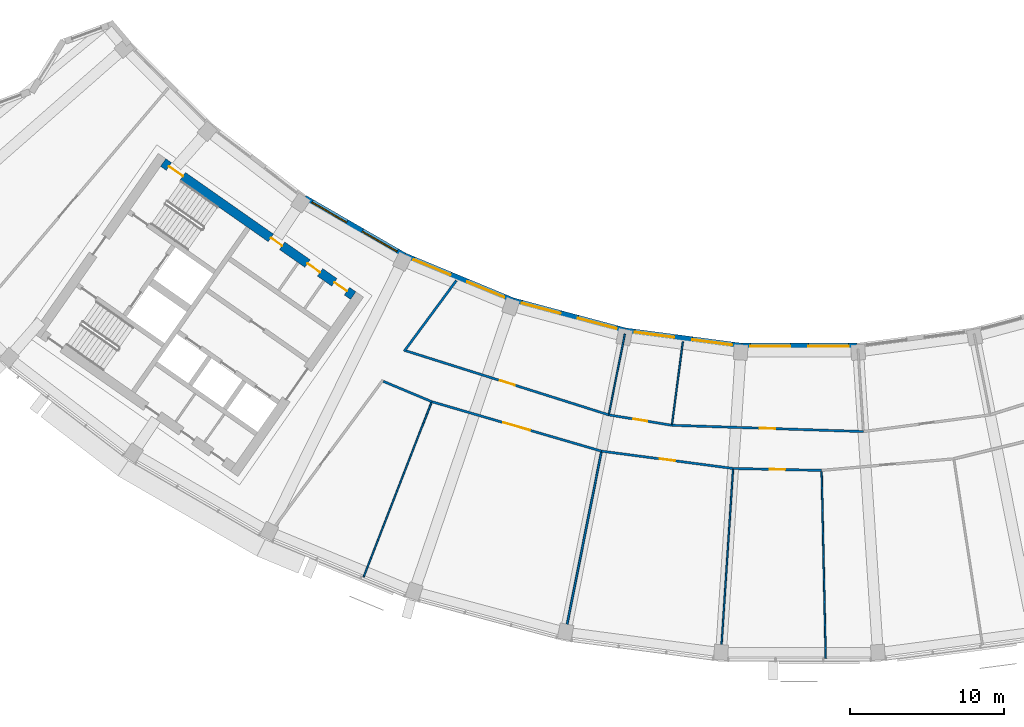
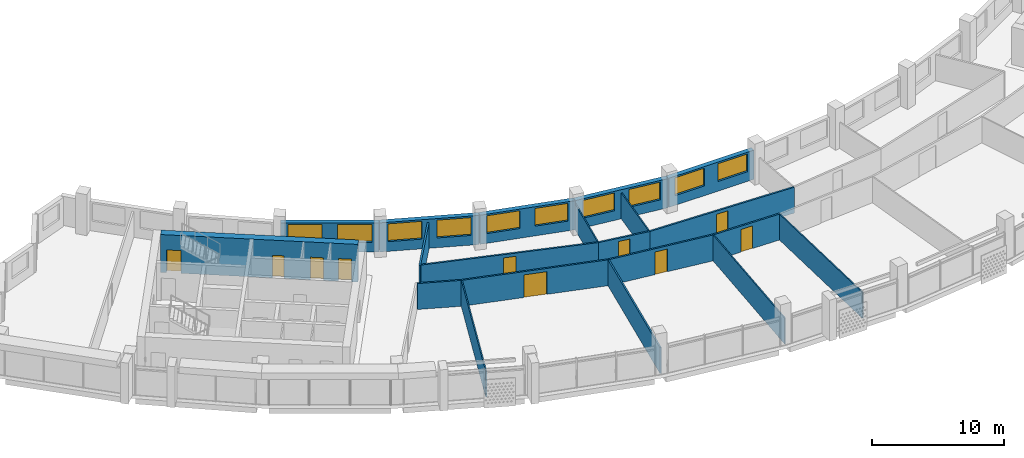
# One storey, part 4 of 28: 20 walls, 10 doors, 10 windows, 20 openings.
"""IFC4 building model written with IfcOpenShell, lengths in metres."""

from ifc_helpers import new_model, si_unit, direction, frame, frame_2d, origin, place, context, subcontext, project, spatial, rectangle, extrude, material, layer, layer_set, type_object, element, fill, save


model = new_model("IFC4")

# Units and contexts
model_context = context("Model", 3, precision=1e-05, world=origin(), true_north=direction((0.0, 1.0)))
body_context = subcontext(model_context, "Body", "Model", "MODEL_VIEW")
ifc_project = project(units=[si_unit("LENGTHUNIT", "METRE"), si_unit("AREAUNIT", "SQUARE_METRE"), si_unit("VOLUMEUNIT", "CUBIC_METRE"), si_unit("PLANEANGLEUNIT", "RADIAN"), si_unit("MASSUNIT", "GRAM", prefix="KILO")], contexts=[model_context])

# Site, building, storey
site_placement = place(None, origin())
site = spatial("IfcSite", under=ifc_project, at=site_placement, CompositionType="ELEMENT")
building_placement = place(site_placement, origin())
building = spatial("IfcBuilding", under=site, at=building_placement, Name="Qamariyya Broadcast Tower", CompositionType="ELEMENT")
storey_placement = place(building_placement, frame((0.0, 0.0, 277.10009765625)))
storey = spatial("IfcBuildingStorey", under=building, at=storey_placement, Name="L67", CompositionType="ELEMENT", Elevation=277.10009765625)

# Wall, openings, doors
ifc_material_1 = material(Name="Concrete C60/75", Category="concrete")
ifc_layer_1 = layer(ifc_material_1, 0.60009765625)
ifc_layer_set_1 = layer_set([ifc_layer_1], Name="Core wall 600 mm Concrete C60/75")
wall_type_1 = type_object("IfcWallType", Name="Core wall 600 mm Concrete C60/75", PredefinedType="SHEAR", material=ifc_layer_set_1)
wall_1_placement = place(storey_placement, frame((-28.940673828125, -54.447021484375, 0.0), z_axis=(0.0, 0.0, 1.0), x_axis=(-0.819153391756, 0.573574511963, 0.0)))
wall_1 = element("IfcWall", 1, at=wall_1_placement, inside=storey, type_object=wall_type_1, Name="k-W-L67-WI", PredefinedType="SHEAR", context=body_context, shape_type="SweptSolid", body=[
    extrude(rectangle(XDim=15.04541015625, YDim=0.60009765625, at=frame_2d((7.522705078125, 0.0))), origin(), (0.0, 0.0, 1.0), 3.5),
])
opening_1_placement = place(wall_1_placement, frame((0.5, 0.0, 0.0)))
opening_1 = element("IfcOpeningElement", 2, at=opening_1_placement, cuts=wall_1, Name="Opening KD6-W2", PredefinedType="OPENING", context=body_context, shape_type="SweptSolid", body=[
    extrude(rectangle(XDim=1.0, YDim=2.10009765625, at=frame_2d((0.5, 1.050048828125))), frame((0.0, 0.31005859375, 0.0), z_axis=(0.0, -1.0, 0.0), x_axis=(1.0, 0.0, 0.0)), (0.0, 0.0, 1.0), 0.6201171875),
])
opening_2_placement = place(wall_1_placement, frame((2.625, 0.0, 0.0)))
opening_2 = element("IfcOpeningElement", 3, at=opening_2_placement, cuts=wall_1, Name="Opening KD7-W1", PredefinedType="OPENING", context=body_context, shape_type="SweptSolid", body=[
    extrude(rectangle(XDim=1.0, YDim=2.10009765625, at=frame_2d((0.5, 1.050048828125))), frame((0.0, 0.31005859375, 0.0), z_axis=(0.0, -1.0, 0.0), x_axis=(1.0, 0.0, 0.0)), (0.0, 0.0, 1.0), 0.6201171875),
])
opening_3_placement = place(wall_1_placement, frame((5.625, 0.0, 0.0)))
opening_3 = element("IfcOpeningElement", 4, at=opening_3_placement, cuts=wall_1, Name="Opening KD5-W1", PredefinedType="OPENING", context=body_context, shape_type="SweptSolid", body=[
    extrude(rectangle(XDim=0.89990234375, YDim=2.10009765625, at=frame_2d((0.449951171875, 1.050048828125))), frame((0.0, 0.31005859375, 0.0), z_axis=(0.0, -1.0, 0.0), x_axis=(1.0, 0.0, 0.0)), (0.0, 0.0, 1.0), 0.6201171875),
])
opening_4_placement = place(wall_1_placement, frame((13.495361328125, 0.0, 0.0)))
opening_4 = element("IfcOpeningElement", 5, at=opening_4_placement, cuts=wall_1, Name="Opening KD1-W1", PredefinedType="OPENING", context=body_context, shape_type="SweptSolid", body=[
    extrude(rectangle(XDim=1.10009765625, YDim=2.10009765625, at=frame_2d((0.550048828125, 1.050048828125))), frame((0.0, 0.31005859375, 0.0), z_axis=(0.0, -1.0, 0.0), x_axis=(1.0, 0.0, 0.0)), (0.0, 0.0, 1.0), 0.6201171875),
])
ifc_material_2 = material(Name="Steel fire-resisting door leaf", Category="steel")
door_type_1 = type_object("IfcDoorType", Name="Accessible toilet door KD7", OperationType="SINGLE_SWING_LEFT", PredefinedType="DOOR", material=ifc_material_2)
door_1_placement = place(opening_2_placement, origin())
door_1 = element("IfcDoor", 6, at=door_1_placement, inside=storey, type_object=door_type_1, Name="k-W-L67-WI-D7", OperationType="SINGLE_SWING_RIGHT", OverallHeight=2.10009765625, OverallWidth=1.0, PredefinedType="DOOR", context=body_context, shape_type="SweptSolid", body=[
    extrude(rectangle(XDim=1.0, YDim=2.10009765625, at=frame_2d((0.5, 1.050048828125))), frame((0.0, 0.02490234375, 0.0), z_axis=(0.0, -1.0, 0.0), x_axis=(1.0, 0.0, 0.0)), (0.0, 0.0, 1.0), 0.050048828125),
])
fill(opening_2, door_1)
door_type_2 = type_object("IfcDoorType", Name="Core room door KD6", OperationType="SINGLE_SWING_LEFT", PredefinedType="DOOR", material=ifc_material_2)
door_2_placement = place(opening_1_placement, origin())
door_2 = element("IfcDoor", 7, at=door_2_placement, inside=storey, type_object=door_type_2, Name="k-W-L67-WI-D6", OperationType="SINGLE_SWING_LEFT", OverallHeight=2.10009765625, OverallWidth=1.0, PredefinedType="DOOR", context=body_context, shape_type="SweptSolid", body=[
    extrude(rectangle(XDim=1.0, YDim=2.10009765625, at=frame_2d((0.5, 1.050048828125))), frame((0.0, 0.02490234375, 0.0), z_axis=(0.0, -1.0, 0.0), x_axis=(1.0, 0.0, 0.0)), (0.0, 0.0, 1.0), 0.050048828125),
])
fill(opening_1, door_2)
door_type_3 = type_object("IfcDoorType", Name="Stair door KD1", OperationType="SINGLE_SWING_LEFT", PredefinedType="DOOR", material=ifc_material_2)
door_3_placement = place(opening_4_placement, origin())
door_3 = element("IfcDoor", 8, at=door_3_placement, inside=storey, type_object=door_type_3, Name="k-W-L67-WI-D15", OperationType="SINGLE_SWING_RIGHT", OverallHeight=2.10009765625, OverallWidth=1.10009765625, PredefinedType="DOOR", context=body_context, shape_type="SweptSolid", body=[
    extrude(rectangle(XDim=1.10009765625, YDim=2.10009765625, at=frame_2d((0.550048828125, 1.050048828125))), frame((0.0, 0.02490234375, 0.0), z_axis=(0.0, -1.0, 0.0), x_axis=(1.0, 0.0, 0.0)), (0.0, 0.0, 1.0), 0.050048828125),
])
fill(opening_4, door_3)
door_type_4 = type_object("IfcDoorType", Name="Toilet door KD5", OperationType="SINGLE_SWING_LEFT", PredefinedType="DOOR", material=ifc_material_2)
door_4_placement = place(opening_3_placement, origin())
door_4 = element("IfcDoor", 9, at=door_4_placement, inside=storey, type_object=door_type_4, Name="k-W-L67-WI-D8", OperationType="SINGLE_SWING_LEFT", OverallHeight=2.10009765625, OverallWidth=0.89990234375, PredefinedType="DOOR", context=body_context, shape_type="SweptSolid", body=[
    extrude(rectangle(XDim=0.89990234375, YDim=2.10009765625, at=frame_2d((0.449951171875, 1.050048828125))), frame((0.0, 0.02490234375, 0.0), z_axis=(0.0, -1.0, 0.0), x_axis=(1.0, 0.0, 0.0)), (0.0, 0.0, 1.0), 0.050048828125),
])
fill(opening_3, door_4)

# Wall
ifc_material_3 = material(Name="Gypsum board partition")
ifc_layer_2 = layer(ifc_material_3, 0.14990234375)
ifc_layer_set_2 = layer_set([ifc_layer_2], Name="Corridor partition 150 EI 60")
wall_type_2 = type_object("IfcWallType", Name="Corridor partition 150 EI 60", PredefinedType="PARTITIONING", material=ifc_layer_set_2)
wall_2_placement = place(storey_placement, frame((-26.98828125, -60.008544921875, 0.0), z_axis=(0.0, 0.0, 1.0), x_axis=(0.922124291828, -0.386893771494, 0.0)))
element("IfcWall", 10, at=wall_2_placement, inside=storey, type_object=wall_type_2, Name="Partition L67-004", PredefinedType="PARTITIONING", context=body_context, shape_type="SweptSolid", body=[
    extrude(rectangle(XDim=3.406982421875, YDim=0.14990234375, at=frame_2d((1.70361328125, 0.0))), origin(), (0.0, 0.0, 1.0), 2.39990234375),
])

# Wall, opening, door
wall_3_placement = place(storey_placement, frame((-25.526611328125, -58.025146484375, 0.0), z_axis=(0.0, 0.0, 1.0), x_axis=(0.953549502203, -0.301236363754, 0.0)))
wall_3 = element("IfcWall", 11, at=wall_3_placement, inside=storey, type_object=wall_type_2, Name="Partition L67-005", PredefinedType="PARTITIONING", context=body_context, shape_type="SweptSolid", body=[
    extrude(rectangle(XDim=13.798828125, YDim=0.14990234375, at=frame_2d((6.8994140625, 0.0))), origin(), (0.0, 0.0, 1.0), 2.39990234375),
])
opening_5_placement = place(wall_3_placement, frame((6.3994140625, 0.0, 0.0)))
opening_5 = element("IfcOpeningElement", 12, at=opening_5_placement, cuts=wall_3, Name="Opening L67-D08", PredefinedType="OPENING", context=body_context, shape_type="SweptSolid", body=[
    extrude(rectangle(XDim=1.0, YDim=2.10009765625, at=frame_2d((0.5, 1.050048828125))), frame((0.0, 0.0849609375, 0.0), z_axis=(0.0, -1.0, 0.0), x_axis=(1.0, 0.0, 0.0)), (0.0, 0.0, 1.0), 0.169921875),
])
ifc_material_4 = material(Name="Timber fire door leaf", Category="wood")
door_type_5 = type_object("IfcDoorType", Name="Fire door 1000 x 2100 FD60", OperationType="NOTDEFINED", PredefinedType="DOOR", material=ifc_material_4)
door_5_placement = place(opening_5_placement, origin())
door_5 = element("IfcDoor", 13, at=door_5_placement, inside=storey, type_object=door_type_5, Name="Door L67-D08", OperationType="SINGLE_SWING_RIGHT", OverallHeight=2.10009765625, OverallWidth=1.0, PredefinedType="DOOR", context=body_context, shape_type="SweptSolid", body=[
    extrude(rectangle(XDim=1.0, YDim=2.10009765625, at=frame_2d((0.5, 1.050048828125))), frame((0.0, 0.02490234375, 0.0), z_axis=(0.0, -1.0, 0.0), x_axis=(1.0, 0.0, 0.0)), (0.0, 0.0, 1.0), 0.050048828125),
])
fill(opening_5, door_5)

wall_4_placement = place(storey_placement, frame((-12.8369140625, -64.53564453125, 0.0), z_axis=(0.0, 0.0, 1.0), x_axis=(-0.960051486256, 0.279823415277, 0.0)))
wall_4 = element("IfcWall", 14, at=wall_4_placement, inside=storey, type_object=wall_type_2, Name="Partition L67-006", PredefinedType="PARTITIONING", context=body_context, shape_type="SweptSolid", body=[
    extrude(rectangle(XDim=11.4677734375, YDim=0.14990234375, at=frame_2d((5.73388671875, 0.0))), origin(), (0.0, 0.0, 1.0), 2.39990234375),
])
opening_6_placement = place(wall_4_placement, frame((4.833984375, 0.0, 0.0)))
opening_6 = element("IfcOpeningElement", 15, at=opening_6_placement, cuts=wall_4, Name="Opening L67-D02", PredefinedType="OPENING", context=body_context, shape_type="SweptSolid", body=[
    extrude(rectangle(XDim=1.800048828125, YDim=2.10009765625, at=frame_2d((0.89990234375, 1.050048828125))), frame((0.0, 0.0849609375, 0.0), z_axis=(0.0, -1.0, 0.0), x_axis=(1.0, 0.0, 0.0)), (0.0, 0.0, 1.0), 0.169921875),
])
door_type_6 = type_object("IfcDoorType", Name="Double fire door 1800 x 2100 FD60", OperationType="NOTDEFINED", PredefinedType="DOOR", material=ifc_material_4)
door_6_placement = place(opening_6_placement, origin())
door_6 = element("IfcDoor", 16, at=door_6_placement, inside=storey, type_object=door_type_6, Name="Door L67-D02", OperationType="DOUBLE_DOOR_SINGLE_SWING", OverallHeight=2.10009765625, OverallWidth=1.800048828125, PredefinedType="DOOR", context=body_context, shape_type="SweptSolid", body=[
    extrude(rectangle(XDim=1.800048828125, YDim=2.10009765625, at=frame_2d((0.89990234375, 1.050048828125))), frame((0.0, 0.02490234375, 0.0), z_axis=(0.0, -1.0, 0.0), x_axis=(1.0, 0.0, 0.0)), (0.0, 0.0, 1.0), 0.050048828125),
])
fill(opening_6, door_6)

# Wall
wall_5_placement = place(storey_placement, frame((-22.251953125, -53.469482421875, 0.0), z_axis=(0.0, 0.0, 1.0), x_axis=(-0.593872728047, -0.804558999006, 0.0)))
element("IfcWall", 17, at=wall_5_placement, inside=storey, type_object=wall_type_2, Name="Partition L67-007", PredefinedType="PARTITIONING", context=body_context, shape_type="SweptSolid", body=[
    extrude(rectangle(XDim=5.709228515625, YDim=0.14990234375, at=frame_2d((2.8544921875, 0.0))), origin(), (0.0, 0.0, 1.0), 2.39990234375),
])

# Wall, opening, door
wall_6_placement = place(storey_placement, frame((-4.303466796875, -65.6591796875, 0.0), z_axis=(0.0, 0.0, 1.0), x_axis=(-0.991443575654, 0.130535957862, 0.0)))
wall_6 = element("IfcWall", 18, at=wall_6_placement, inside=storey, type_object=wall_type_2, Name="Partition L67-009", PredefinedType="PARTITIONING", context=body_context, shape_type="SweptSolid", body=[
    extrude(rectangle(XDim=8.607177734375, YDim=0.14990234375, at=frame_2d((4.3037109375, 0.0))), origin(), (0.0, 0.0, 1.0), 2.39990234375),
])
opening_7_placement = place(wall_6_placement, frame((3.803466796875, 0.0, 0.0)))
opening_7 = element("IfcOpeningElement", 19, at=opening_7_placement, cuts=wall_6, Name="Opening L67-D03", PredefinedType="OPENING", context=body_context, shape_type="SweptSolid", body=[
    extrude(rectangle(XDim=1.0, YDim=2.10009765625, at=frame_2d((0.5, 1.050048828125))), frame((0.0, 0.0849609375, 0.0), z_axis=(0.0, -1.0, 0.0), x_axis=(1.0, 0.0, 0.0)), (0.0, 0.0, 1.0), 0.169921875),
])
door_7_placement = place(opening_7_placement, origin())
door_7 = element("IfcDoor", 20, at=door_7_placement, inside=storey, type_object=door_type_5, Name="Door L67-D03", OperationType="SINGLE_SWING_RIGHT", OverallHeight=2.10009765625, OverallWidth=1.0, PredefinedType="DOOR", context=body_context, shape_type="SweptSolid", body=[
    extrude(rectangle(XDim=1.0, YDim=2.10009765625, at=frame_2d((0.5, 1.050048828125))), frame((0.0, 0.02490234375, 0.0), z_axis=(0.0, -1.0, 0.0), x_axis=(1.0, 0.0, 0.0)), (0.0, 0.0, 1.0), 0.050048828125),
])
fill(opening_7, door_7)

wall_7_placement = place(storey_placement, frame((-12.36865234375, -62.181884765625, 0.0), z_axis=(0.0, 0.0, 1.0), x_axis=(0.986644067936, -0.162891016345, 0.0)))
wall_7 = element("IfcWall", 21, at=wall_7_placement, inside=storey, type_object=wall_type_2, Name="Partition L67-010", PredefinedType="PARTITIONING", context=body_context, shape_type="SweptSolid", body=[
    extrude(rectangle(XDim=4.148681640625, YDim=0.14990234375, at=frame_2d((2.07421875, 0.0))), origin(), (0.0, 0.0, 1.0), 2.39990234375),
])
opening_8_placement = place(wall_7_placement, frame((1.62451171875, 0.0, 0.0)))
opening_8 = element("IfcOpeningElement", 22, at=opening_8_placement, cuts=wall_7, Name="Opening L67-D09", PredefinedType="OPENING", context=body_context, shape_type="SweptSolid", body=[
    extrude(rectangle(XDim=0.89990234375, YDim=2.10009765625, at=frame_2d((0.449951171875, 1.050048828125))), frame((0.0, 0.0849609375, 0.0), z_axis=(0.0, -1.0, 0.0), x_axis=(1.0, 0.0, 0.0)), (0.0, 0.0, 1.0), 0.169921875),
])
door_type_7 = type_object("IfcDoorType", Name="Fire door 900 x 2100 FD60", OperationType="NOTDEFINED", PredefinedType="DOOR", material=ifc_material_4)
door_8_placement = place(opening_8_placement, origin())
door_8 = element("IfcDoor", 23, at=door_8_placement, inside=storey, type_object=door_type_7, Name="Door L67-D09", OperationType="SINGLE_SWING_RIGHT", OverallHeight=2.10009765625, OverallWidth=0.89990234375, PredefinedType="DOOR", context=body_context, shape_type="SweptSolid", body=[
    extrude(rectangle(XDim=0.89990234375, YDim=2.10009765625, at=frame_2d((0.449951171875, 1.050048828125))), frame((0.0, 0.02490234375, 0.0), z_axis=(0.0, -1.0, 0.0), x_axis=(1.0, 0.0, 0.0)), (0.0, 0.0, 1.0), 0.050048828125),
])
fill(opening_8, door_8)

wall_8_placement = place(storey_placement, frame((-8.275390625, -62.857666015625, 0.0), z_axis=(0.0, 0.0, 1.0), x_axis=(0.999464997707, -0.032706549158, 0.0)))
wall_8 = element("IfcWall", 24, at=wall_8_placement, inside=storey, type_object=wall_type_2, Name="Partition L67-012", PredefinedType="PARTITIONING", context=body_context, shape_type="SweptSolid", body=[
    extrude(rectangle(XDim=12.428466796875, YDim=0.14990234375, at=frame_2d((6.21435546875, 0.0))), origin(), (0.0, 0.0, 1.0), 2.39990234375),
])
opening_9_placement = place(wall_8_placement, frame((5.71435546875, 0.0, 0.0)))
opening_9 = element("IfcOpeningElement", 25, at=opening_9_placement, cuts=wall_8, Name="Opening L67-D10", PredefinedType="OPENING", context=body_context, shape_type="SweptSolid", body=[
    extrude(rectangle(XDim=1.0, YDim=2.10009765625, at=frame_2d((0.5, 1.050048828125))), frame((0.0, 0.0849609375, 0.0), z_axis=(0.0, -1.0, 0.0), x_axis=(1.0, 0.0, 0.0)), (0.0, 0.0, 1.0), 0.169921875),
])
door_9_placement = place(opening_9_placement, origin())
door_9 = element("IfcDoor", 26, at=door_9_placement, inside=storey, type_object=door_type_5, Name="Door L67-D10", OperationType="SINGLE_SWING_RIGHT", OverallHeight=2.10009765625, OverallWidth=1.0, PredefinedType="DOOR", context=body_context, shape_type="SweptSolid", body=[
    extrude(rectangle(XDim=1.0, YDim=2.10009765625, at=frame_2d((0.5, 1.050048828125))), frame((0.0, 0.02490234375, 0.0), z_axis=(0.0, -1.0, 0.0), x_axis=(1.0, 0.0, 0.0)), (0.0, 0.0, 1.0), 0.050048828125),
])
fill(opening_9, door_9)

wall_9_placement = place(storey_placement, frame((1.437255859375, -65.7841796875, 0.0), z_axis=(0.0, 0.0, 1.0), x_axis=(-0.999763025016, 0.021769102186, 0.0)))
wall_9 = element("IfcWall", 27, at=wall_9_placement, inside=storey, type_object=wall_type_2, Name="Partition L67-015", PredefinedType="PARTITIONING", context=body_context, shape_type="SweptSolid", body=[
    extrude(rectangle(XDim=5.7421875, YDim=0.14990234375, at=frame_2d((2.87109375, 0.0))), origin(), (0.0, 0.0, 1.0), 2.39990234375),
])
opening_10_placement = place(wall_9_placement, frame((2.37109375, 0.0, 0.0)))
opening_10 = element("IfcOpeningElement", 28, at=opening_10_placement, cuts=wall_9, Name="Opening L67-D04", PredefinedType="OPENING", context=body_context, shape_type="SweptSolid", body=[
    extrude(rectangle(XDim=1.0, YDim=2.10009765625, at=frame_2d((0.5, 1.050048828125))), frame((0.0, 0.0849609375, 0.0), z_axis=(0.0, -1.0, 0.0), x_axis=(1.0, 0.0, 0.0)), (0.0, 0.0, 1.0), 0.169921875),
])
door_10_placement = place(opening_10_placement, origin())
door_10 = element("IfcDoor", 29, at=door_10_placement, inside=storey, type_object=door_type_5, Name="Door L67-D04", OperationType="SINGLE_SWING_RIGHT", OverallHeight=2.10009765625, OverallWidth=1.0, PredefinedType="DOOR", context=body_context, shape_type="SweptSolid", body=[
    extrude(rectangle(XDim=1.0, YDim=2.10009765625, at=frame_2d((0.5, 1.050048828125))), frame((0.0, 0.02490234375, 0.0), z_axis=(0.0, -1.0, 0.0), x_axis=(1.0, 0.0, 0.0)), (0.0, 0.0, 1.0), 0.050048828125),
])
fill(opening_10, door_10)

# Walls
ifc_material_5 = material(Name="Operable acoustic wall panels")
ifc_layer_3 = layer(ifc_material_5, 0.125)
ifc_layer_set_3 = layer_set([ifc_layer_3], Name="Operable acoustic partition 125")
wall_type_3 = type_object("IfcWallType", Name="Operable acoustic partition 125", PredefinedType="MOVABLE", material=ifc_layer_set_3)
wall_10_placement = place(storey_placement, frame((-15.246337890625, -76.6484375, 0.0), z_axis=(0.0, 0.0, 1.0), x_axis=(0.195090980681, 0.980785149386, 0.0)))
element("IfcWall", 30, at=wall_10_placement, inside=storey, type_object=wall_type_3, Name="Operable partition L67-008", PredefinedType="MOVABLE", context=body_context, shape_type="SweptSolid", body=[
    extrude(rectangle(XDim=12.275146484375, YDim=0.125, at=frame_2d((6.1376953125, 0.0))), origin(), (0.0, 0.0, 1.0), 2.39990234375),
])
ifc_layer_4 = layer(ifc_material_3, 0.10009765625)
ifc_layer_set_4 = layer_set([ifc_layer_4], Name="Partition 100")
wall_type_4 = type_object("IfcWallType", Name="Partition 100", PredefinedType="PARTITIONING", material=ifc_layer_set_4)
wall_11_placement = place(storey_placement, frame((-28.2685546875, -72.6982421875, 0.0), z_axis=(0.0, 0.0, 1.0), x_axis=(0.362410311337, 0.932018651228, 0.0)))
element("IfcWall", 31, at=wall_11_placement, inside=storey, type_object=wall_type_4, Name="Partition L67-002", PredefinedType="PARTITIONING", context=body_context, shape_type="SweptSolid", body=[
    extrude(rectangle(XDim=12.125732421875, YDim=0.10009765625, at=frame_2d((6.06298828125, 0.0))), origin(), (0.0, 0.0, 1.0), 2.39990234375),
])
wall_12_placement = place(storey_placement, frame((-11.324951171875, -56.9345703125, 0.0), z_axis=(0.0, 0.0, 1.0), x_axis=(-0.195083555743, -0.980786626274, 0.0)))
element("IfcWall", 32, at=wall_12_placement, inside=storey, type_object=wall_type_4, Name="Partition L67-011", PredefinedType="PARTITIONING", context=body_context, shape_type="SweptSolid", body=[
    extrude(rectangle(XDim=5.27490234375, YDim=0.10009765625, at=frame_2d((2.637451171875, 0.0))), origin(), (0.0, 0.0, 1.0), 2.39990234375),
])
wall_13_placement = place(storey_placement, frame((-7.56103515625, -57.430908203125, 0.0), z_axis=(0.0, 0.0, 1.0), x_axis=(-0.130516514475, -0.991446135425, 0.0)))
element("IfcWall", 33, at=wall_13_placement, inside=storey, type_object=wall_type_4, Name="Partition L67-013", PredefinedType="PARTITIONING", context=body_context, shape_type="SweptSolid", body=[
    extrude(rectangle(XDim=5.3984375, YDim=0.10009765625, at=frame_2d((2.69921875, 0.0))), origin(), (0.0, 0.0, 1.0), 2.39990234375),
])
wall_14_placement = place(storey_placement, frame((-5.111328125, -77.982666015625, 0.0), z_axis=(0.0, 0.0, 1.0), x_axis=(0.065415386497, 0.997858119779, 0.0)))
element("IfcWall", 34, at=wall_14_placement, inside=storey, type_object=wall_type_4, Name="Partition L67-014", PredefinedType="PARTITIONING", context=body_context, shape_type="SweptSolid", body=[
    extrude(rectangle(XDim=12.275146484375, YDim=0.10009765625, at=frame_2d((6.1376953125, 0.0))), origin(), (0.0, 0.0, 1.0), 2.39990234375),
])
wall_15_placement = place(storey_placement, frame((1.703857421875, -77.982177734375, 0.0), z_axis=(0.0, 0.0, 1.0), x_axis=(-0.02184555579, 0.999761357371, 0.0)))
element("IfcWall", 35, at=wall_15_placement, inside=storey, type_object=wall_type_4, Name="Partition L67-017", PredefinedType="PARTITIONING", context=body_context, shape_type="SweptSolid", body=[
    extrude(rectangle(XDim=12.125732421875, YDim=0.10009765625, at=frame_2d((6.06298828125, 0.0))), origin(), (0.0, 0.0, 1.0), 2.39990234375),
])

# Wall, openings, windows
ifc_material_6 = material(Name="Terracotta", Category="masonry")
ifc_layer_5 = layer(ifc_material_6, 0.39990234375)
ifc_layer_set_5 = layer_set([ifc_layer_5], Name="Terracotta clad wall 400")
wall_type_5 = type_object("IfcWallType", Name="Terracotta clad wall 400", PredefinedType="SOLIDWALL", material=ifc_layer_set_5)
wall_16_placement = place(storey_placement, frame((-25.630615234375, -51.859130859375, 0.0), z_axis=(0.0, 0.0, 1.0), x_axis=(-0.866016763373, 0.500014965334, 0.0)))
wall_16 = element("IfcWall", 36, at=wall_16_placement, inside=storey, type_object=wall_type_5, Name="e-wl-L67-in30", PredefinedType="SOLIDWALL", context=body_context, shape_type="SweptSolid", body=[
    extrude(rectangle(XDim=7.465576171875, YDim=0.39990234375, at=frame_2d((3.73291015625, 0.0))), origin(), (0.0, 0.0, 1.0), 2.699951171875),
])
opening_11_placement = place(wall_16_placement, frame((4.318115234375, 0.0, 0.89990234375)))
opening_11 = element("IfcOpeningElement", 37, at=opening_11_placement, cuts=wall_16, Name="Opening W1", PredefinedType="OPENING", context=body_context, shape_type="SweptSolid", body=[
    extrude(rectangle(XDim=2.60009765625, YDim=1.64990234375, at=frame_2d((1.300048828125, 0.824951171875))), frame((0.0, 0.2099609375, 0.0), z_axis=(0.0, -1.0, 0.0), x_axis=(1.0, 0.0, 0.0)), (0.0, 0.0, 1.0), 0.419921875),
])
opening_12_placement = place(wall_16_placement, frame((0.547607421875, 0.0, 0.89990234375)))
opening_12 = element("IfcOpeningElement", 38, at=opening_12_placement, cuts=wall_16, Name="Opening W1", PredefinedType="OPENING", context=body_context, shape_type="SweptSolid", body=[
    extrude(rectangle(XDim=2.60009765625, YDim=1.64990234375, at=frame_2d((1.300048828125, 0.824951171875))), frame((0.0, 0.2099609375, 0.0), z_axis=(0.0, -1.0, 0.0), x_axis=(1.0, 0.0, 0.0)), (0.0, 0.0, 1.0), 0.419921875),
])
ifc_material_7 = material(Name="Clear low-e double glazed unit in aluminium frame", Category="aluminium")
window_type = type_object("IfcWindowType", Name="Ribbon window 2600 x 1650", PartitioningType="SINGLE_PANEL", PredefinedType="WINDOW", material=ifc_material_7)
window_1_placement = place(opening_11_placement, origin())
window_1 = element("IfcWindow", 39, at=window_1_placement, inside=storey, type_object=window_type, Name="e-w-L67-in03-0", OverallHeight=1.64990234375, OverallWidth=2.60009765625, PartitioningType="SINGLE_PANEL", PredefinedType="WINDOW", context=body_context, shape_type="SweptSolid", body=[
    extrude(rectangle(XDim=2.60009765625, YDim=1.64990234375, at=frame_2d((1.300048828125, 0.824951171875))), frame((0.0, 0.030029296875, 0.0), z_axis=(0.0, -1.0, 0.0), x_axis=(1.0, 0.0, 0.0)), (0.0, 0.0, 1.0), 0.06005859375),
])
fill(opening_11, window_1)
window_2_placement = place(opening_12_placement, origin())
window_2 = element("IfcWindow", 40, at=window_2_placement, inside=storey, type_object=window_type, Name="e-w-L67-in03-1", OverallHeight=1.64990234375, OverallWidth=2.60009765625, PartitioningType="SINGLE_PANEL", PredefinedType="WINDOW", context=body_context, shape_type="SweptSolid", body=[
    extrude(rectangle(XDim=2.60009765625, YDim=1.64990234375, at=frame_2d((1.300048828125, 0.824951171875))), frame((0.0, 0.030029296875, 0.0), z_axis=(0.0, -1.0, 0.0), x_axis=(1.0, 0.0, 0.0)), (0.0, 0.0, 1.0), 0.06005859375),
])
fill(opening_12, window_2)

wall_17_placement = place(storey_placement, frame((-18.572265625, -54.789794921875, 0.0), z_axis=(0.0, 0.0, 1.0), x_axis=(-0.923887531937, 0.382664119472, 0.0)))
wall_17 = element("IfcWall", 41, at=wall_17_placement, inside=storey, type_object=wall_type_5, Name="e-wl-L67-in40", PredefinedType="SOLIDWALL", context=body_context, shape_type="SweptSolid", body=[
    extrude(rectangle(XDim=7.6171875, YDim=0.39990234375, at=frame_2d((3.80859375, 0.0))), origin(), (0.0, 0.0, 1.0), 2.699951171875),
])
opening_13_placement = place(wall_17_placement, frame((4.393798828125, 0.0, 0.89990234375)))
opening_13 = element("IfcOpeningElement", 42, at=opening_13_placement, cuts=wall_17, Name="Opening W1", PredefinedType="OPENING", context=body_context, shape_type="SweptSolid", body=[
    extrude(rectangle(XDim=2.60009765625, YDim=1.64990234375, at=frame_2d((1.300048828125, 0.824951171875))), frame((0.0, 0.2099609375, 0.0), z_axis=(0.0, -1.0, 0.0), x_axis=(1.0, 0.0, 0.0)), (0.0, 0.0, 1.0), 0.419921875),
])
opening_14_placement = place(wall_17_placement, frame((0.623291015625, 0.0, 0.89990234375)))
opening_14 = element("IfcOpeningElement", 43, at=opening_14_placement, cuts=wall_17, Name="Opening W1", PredefinedType="OPENING", context=body_context, shape_type="SweptSolid", body=[
    extrude(rectangle(XDim=2.60009765625, YDim=1.64990234375, at=frame_2d((1.300048828125, 0.824951171875))), frame((0.0, 0.2099609375, 0.0), z_axis=(0.0, -1.0, 0.0), x_axis=(1.0, 0.0, 0.0)), (0.0, 0.0, 1.0), 0.419921875),
])
window_3_placement = place(opening_13_placement, origin())
window_3 = element("IfcWindow", 44, at=window_3_placement, inside=storey, type_object=window_type, Name="e-w-L67-in04-0", OverallHeight=1.64990234375, OverallWidth=2.60009765625, PartitioningType="SINGLE_PANEL", PredefinedType="WINDOW", context=body_context, shape_type="SweptSolid", body=[
    extrude(rectangle(XDim=2.60009765625, YDim=1.64990234375, at=frame_2d((1.300048828125, 0.824951171875))), frame((0.0, 0.030029296875, 0.0), z_axis=(0.0, -1.0, 0.0), x_axis=(1.0, 0.0, 0.0)), (0.0, 0.0, 1.0), 0.06005859375),
])
fill(opening_13, window_3)
window_4_placement = place(opening_14_placement, origin())
window_4 = element("IfcWindow", 45, at=window_4_placement, inside=storey, type_object=window_type, Name="e-w-L67-in04-1", OverallHeight=1.64990234375, OverallWidth=2.60009765625, PartitioningType="SINGLE_PANEL", PredefinedType="WINDOW", context=body_context, shape_type="SweptSolid", body=[
    extrude(rectangle(XDim=2.60009765625, YDim=1.64990234375, at=frame_2d((1.300048828125, 0.824951171875))), frame((0.0, 0.030029296875, 0.0), z_axis=(0.0, -1.0, 0.0), x_axis=(1.0, 0.0, 0.0)), (0.0, 0.0, 1.0), 0.06005859375),
])
fill(opening_14, window_4)

wall_18_placement = place(storey_placement, frame((-11.3349609375, -56.725830078125, 0.0), z_axis=(0.0, 0.0, 1.0), x_axis=(-0.965923236695, 0.258828709406, 0.0)))
wall_18 = element("IfcWall", 46, at=wall_18_placement, inside=storey, type_object=wall_type_5, Name="e-wl-L67-in50", PredefinedType="SOLIDWALL", context=body_context, shape_type="SweptSolid", body=[
    extrude(rectangle(XDim=7.4658203125, YDim=0.39990234375, at=frame_2d((3.73291015625, 0.0))), origin(), (0.0, 0.0, 1.0), 2.699951171875),
])
opening_15_placement = place(wall_18_placement, frame((4.318115234375, 0.0, 0.89990234375)))
opening_15 = element("IfcOpeningElement", 47, at=opening_15_placement, cuts=wall_18, Name="Opening W1", PredefinedType="OPENING", context=body_context, shape_type="SweptSolid", body=[
    extrude(rectangle(XDim=2.60009765625, YDim=1.64990234375, at=frame_2d((1.300048828125, 0.824951171875))), frame((0.0, 0.2099609375, 0.0), z_axis=(0.0, -1.0, 0.0), x_axis=(1.0, 0.0, 0.0)), (0.0, 0.0, 1.0), 0.419921875),
])
opening_16_placement = place(wall_18_placement, frame((0.547607421875, 0.0, 0.89990234375)))
opening_16 = element("IfcOpeningElement", 48, at=opening_16_placement, cuts=wall_18, Name="Opening W1", PredefinedType="OPENING", context=body_context, shape_type="SweptSolid", body=[
    extrude(rectangle(XDim=2.60009765625, YDim=1.64990234375, at=frame_2d((1.300048828125, 0.824951171875))), frame((0.0, 0.2099609375, 0.0), z_axis=(0.0, -1.0, 0.0), x_axis=(1.0, 0.0, 0.0)), (0.0, 0.0, 1.0), 0.419921875),
])
window_5_placement = place(opening_15_placement, origin())
window_5 = element("IfcWindow", 49, at=window_5_placement, inside=storey, type_object=window_type, Name="e-w-L67-in05-0", OverallHeight=1.64990234375, OverallWidth=2.60009765625, PartitioningType="SINGLE_PANEL", PredefinedType="WINDOW", context=body_context, shape_type="SweptSolid", body=[
    extrude(rectangle(XDim=2.60009765625, YDim=1.64990234375, at=frame_2d((1.300048828125, 0.824951171875))), frame((0.0, 0.030029296875, 0.0), z_axis=(0.0, -1.0, 0.0), x_axis=(1.0, 0.0, 0.0)), (0.0, 0.0, 1.0), 0.06005859375),
])
fill(opening_15, window_5)
window_6_placement = place(opening_16_placement, origin())
window_6 = element("IfcWindow", 50, at=window_6_placement, inside=storey, type_object=window_type, Name="e-w-L67-in05-1", OverallHeight=1.64990234375, OverallWidth=2.60009765625, PartitioningType="SINGLE_PANEL", PredefinedType="WINDOW", context=body_context, shape_type="SweptSolid", body=[
    extrude(rectangle(XDim=2.60009765625, YDim=1.64990234375, at=frame_2d((1.300048828125, 0.824951171875))), frame((0.0, 0.030029296875, 0.0), z_axis=(0.0, -1.0, 0.0), x_axis=(1.0, 0.0, 0.0)), (0.0, 0.0, 1.0), 0.06005859375),
])
fill(opening_16, window_6)

wall_19_placement = place(storey_placement, frame((-3.7587890625, -57.729736328125, 0.0), z_axis=(0.0, 0.0, 1.0), x_axis=(-0.991446548217, 0.130513378733, 0.0)))
wall_19 = element("IfcWall", 51, at=wall_19_placement, inside=storey, type_object=wall_type_5, Name="e-wl-L67-in60", PredefinedType="SOLIDWALL", context=body_context, shape_type="SweptSolid", body=[
    extrude(rectangle(XDim=7.6171875, YDim=0.39990234375, at=frame_2d((3.80859375, 0.0))), origin(), (0.0, 0.0, 1.0), 2.699951171875),
])
opening_17_placement = place(wall_19_placement, frame((4.393798828125, 0.0, 0.89990234375)))
opening_17 = element("IfcOpeningElement", 52, at=opening_17_placement, cuts=wall_19, Name="Opening W1", PredefinedType="OPENING", context=body_context, shape_type="SweptSolid", body=[
    extrude(rectangle(XDim=2.60009765625, YDim=1.64990234375, at=frame_2d((1.300048828125, 0.824951171875))), frame((0.0, 0.2099609375, 0.0), z_axis=(0.0, -1.0, 0.0), x_axis=(1.0, 0.0, 0.0)), (0.0, 0.0, 1.0), 0.419921875),
])
opening_18_placement = place(wall_19_placement, frame((0.623291015625, 0.0, 0.89990234375)))
opening_18 = element("IfcOpeningElement", 53, at=opening_18_placement, cuts=wall_19, Name="Opening W1", PredefinedType="OPENING", context=body_context, shape_type="SweptSolid", body=[
    extrude(rectangle(XDim=2.60009765625, YDim=1.64990234375, at=frame_2d((1.300048828125, 0.824951171875))), frame((0.0, 0.2099609375, 0.0), z_axis=(0.0, -1.0, 0.0), x_axis=(1.0, 0.0, 0.0)), (0.0, 0.0, 1.0), 0.419921875),
])
window_7_placement = place(opening_17_placement, origin())
window_7 = element("IfcWindow", 54, at=window_7_placement, inside=storey, type_object=window_type, Name="e-w-L67-in06-0", OverallHeight=1.64990234375, OverallWidth=2.60009765625, PartitioningType="SINGLE_PANEL", PredefinedType="WINDOW", context=body_context, shape_type="SweptSolid", body=[
    extrude(rectangle(XDim=2.60009765625, YDim=1.64990234375, at=frame_2d((1.300048828125, 0.824951171875))), frame((0.0, 0.030029296875, 0.0), z_axis=(0.0, -1.0, 0.0), x_axis=(1.0, 0.0, 0.0)), (0.0, 0.0, 1.0), 0.06005859375),
])
fill(opening_17, window_7)
window_8_placement = place(opening_18_placement, origin())
window_8 = element("IfcWindow", 55, at=window_8_placement, inside=storey, type_object=window_type, Name="e-w-L67-in06-1", OverallHeight=1.64990234375, OverallWidth=2.60009765625, PartitioningType="SINGLE_PANEL", PredefinedType="WINDOW", context=body_context, shape_type="SweptSolid", body=[
    extrude(rectangle(XDim=2.60009765625, YDim=1.64990234375, at=frame_2d((1.300048828125, 0.824951171875))), frame((0.0, 0.030029296875, 0.0), z_axis=(0.0, -1.0, 0.0), x_axis=(1.0, 0.0, 0.0)), (0.0, 0.0, 1.0), 0.06005859375),
])
fill(opening_18, window_8)

wall_20_placement = place(storey_placement, frame((3.73291015625, -57.7265625, 0.0), z_axis=(0.0, 0.0, 1.0), x_axis=(-1.0, 0.0, 0.0)))
wall_20 = element("IfcWall", 56, at=wall_20_placement, inside=storey, type_object=wall_type_5, Name="e-wl-L67-in70", PredefinedType="SOLIDWALL", context=body_context, shape_type="SweptSolid", body=[
    extrude(rectangle(XDim=7.4658203125, YDim=0.39990234375, at=frame_2d((3.73291015625, 0.0))), origin(), (0.0, 0.0, 1.0), 2.699951171875),
])
opening_19_placement = place(wall_20_placement, frame((4.318115234375, 0.0, 0.89990234375)))
opening_19 = element("IfcOpeningElement", 57, at=opening_19_placement, cuts=wall_20, Name="Opening W1", PredefinedType="OPENING", context=body_context, shape_type="SweptSolid", body=[
    extrude(rectangle(XDim=2.60009765625, YDim=1.64990234375, at=frame_2d((1.300048828125, 0.824951171875))), frame((0.0, 0.2099609375, 0.0), z_axis=(0.0, -1.0, 0.0), x_axis=(1.0, 0.0, 0.0)), (0.0, 0.0, 1.0), 0.419921875),
])
opening_20_placement = place(wall_20_placement, frame((0.547607421875, 0.0, 0.89990234375)))
opening_20 = element("IfcOpeningElement", 58, at=opening_20_placement, cuts=wall_20, Name="Opening W1", PredefinedType="OPENING", context=body_context, shape_type="SweptSolid", body=[
    extrude(rectangle(XDim=2.60009765625, YDim=1.64990234375, at=frame_2d((1.300048828125, 0.824951171875))), frame((0.0, 0.2099609375, 0.0), z_axis=(0.0, -1.0, 0.0), x_axis=(1.0, 0.0, 0.0)), (0.0, 0.0, 1.0), 0.419921875),
])
window_9_placement = place(opening_19_placement, origin())
window_9 = element("IfcWindow", 59, at=window_9_placement, inside=storey, type_object=window_type, Name="e-w-L67-in07-0", OverallHeight=1.64990234375, OverallWidth=2.60009765625, PartitioningType="SINGLE_PANEL", PredefinedType="WINDOW", context=body_context, shape_type="SweptSolid", body=[
    extrude(rectangle(XDim=2.60009765625, YDim=1.64990234375, at=frame_2d((1.300048828125, 0.824951171875))), frame((0.0, 0.030029296875, 0.0), z_axis=(0.0, -1.0, 0.0), x_axis=(1.0, 0.0, 0.0)), (0.0, 0.0, 1.0), 0.06005859375),
])
fill(opening_19, window_9)
window_10_placement = place(opening_20_placement, origin())
window_10 = element("IfcWindow", 60, at=window_10_placement, inside=storey, type_object=window_type, Name="e-w-L67-in07-1", OverallHeight=1.64990234375, OverallWidth=2.60009765625, PartitioningType="SINGLE_PANEL", PredefinedType="WINDOW", context=body_context, shape_type="SweptSolid", body=[
    extrude(rectangle(XDim=2.60009765625, YDim=1.64990234375, at=frame_2d((1.300048828125, 0.824951171875))), frame((0.0, 0.030029296875, 0.0), z_axis=(0.0, -1.0, 0.0), x_axis=(1.0, 0.0, 0.0)), (0.0, 0.0, 1.0), 0.06005859375),
])
fill(opening_20, window_10)

save(model, "model.ifc")
